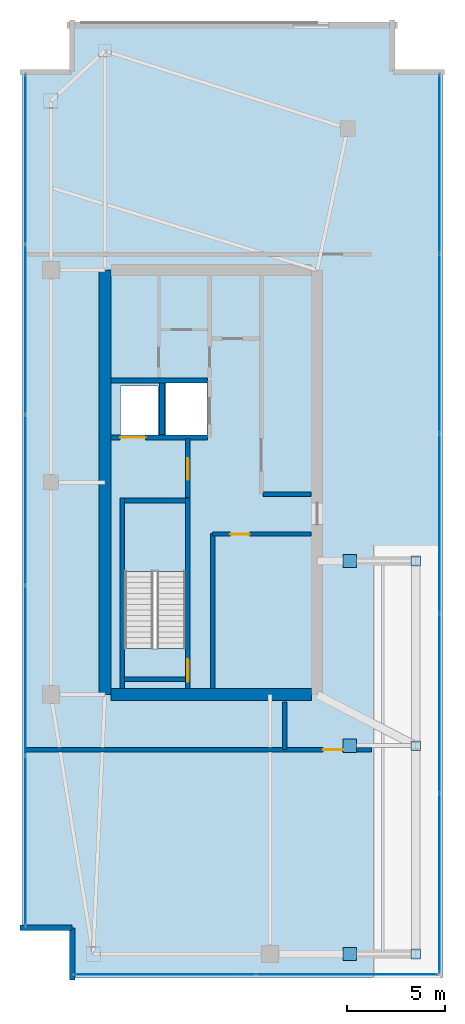
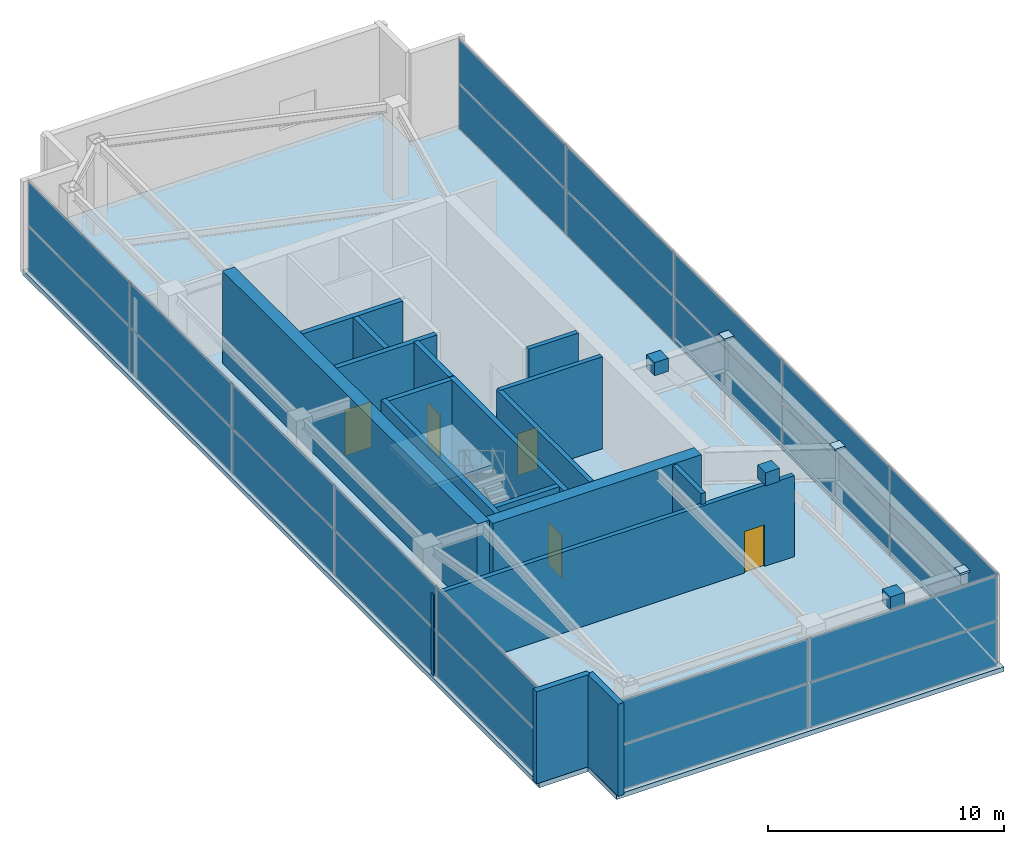
# One storey, part 17 of 20: 30 plates, 17 walls, 5 doors, 2 slabs, 5 openings, 4 elements without a shape of their own.
"""IFC4 building model written with IfcOpenShell, lengths in metres."""

from ifc_helpers import new_model, si_unit, direction, frame, frame_2d, origin, origin_2d, place, context, subcontext, project, spatial, polyline, rectangle, outline, extrude, material, layer, layer_set, type_object, element, fill, aggregate, save


model = new_model("IFC4")

# Units and contexts
model_context = context("Model", 3, precision=1e-05, world=origin(), true_north=direction((0.0, 1.0)))
body_context = subcontext(model_context, "Body", "Model", "MODEL_VIEW")
ifc_project = project(units=[si_unit("LENGTHUNIT", "METRE"), si_unit("AREAUNIT", "SQUARE_METRE"), si_unit("VOLUMEUNIT", "CUBIC_METRE"), si_unit("PLANEANGLEUNIT", "RADIAN"), si_unit("MASSUNIT", "GRAM", prefix="KILO")], contexts=[model_context])

# Site, building, storey
site_placement = place(None, origin())
site = spatial("IfcSite", under=ifc_project, at=site_placement, CompositionType="ELEMENT")
building_placement = place(site_placement, origin())
building = spatial("IfcBuilding", under=site, at=building_placement, Name="Calvorn Quay Hotel", CompositionType="ELEMENT")
storey_placement = place(building_placement, frame((0.0, 0.0, 340.5)))
storey = spatial("IfcBuildingStorey", under=building, at=storey_placement, Name="L83", CompositionType="ELEMENT", Elevation=340.5)

# Curtain wall, plates
ifc_material_1 = material(Name="Pale Anodised Aluminium and Laminated Glass", Category="aluminium")
ifc_layer_1 = layer(ifc_material_1, 0.219970703125)
ifc_layer_set_1 = layer_set([ifc_layer_1], Name="CW-SYS-CRN")
curtain_wall_type = type_object("IfcCurtainWallType", Name="CW-SYS-CRN", PredefinedType="NOTDEFINED", material=ifc_layer_set_1)
curtain_wall_1_placement = place(storey_placement, origin())
curtain_wall_1 = element("IfcCurtainWall", 1, at=curtain_wall_1_placement, inside=storey, type_object=curtain_wall_type, Name="Crown Curtain Wall L83-C1", PredefinedType="NOTDEFINED")
ifc_material_2 = material(Name="Low-E Laminated Double Glazing", Category="glass")
ifc_layer_2 = layer(ifc_material_2, 0.028076171875)
ifc_layer_set_2 = layer_set([ifc_layer_2], Name="CW-SYS-CRN-PAN")
plate_type_1 = type_object("IfcPlateType", Name="CW-SYS-CRN-PAN", PredefinedType="CURTAIN_PANEL", material=ifc_layer_set_2)
plate_1_placement = place(storey_placement, frame((7.266845703125, 2.550048828125, 0.06005859375), z_axis=(0.0, 0.0, 1.0), x_axis=(1.0, 0.0, 0.0)))
plate_1 = element("IfcPlate", 2, at=plate_1_placement, type_object=plate_type_1, Name="CW-L83-C1 panel 1.1", PredefinedType="CURTAIN_PANEL", context=body_context, shape_type="SweptSolid", body=[
    extrude(rectangle(XDim=9.173583984375, YDim=0.028076171875, at=origin_2d()), origin(), (0.0, 0.0, 1.0), 2.31005859375),
])
plate_2_placement = place(storey_placement, frame((7.266845703125, 2.550048828125, 2.429931640625), z_axis=(0.0, 0.0, 1.0), x_axis=(1.0, 0.0, 0.0)))
plate_2 = element("IfcPlate", 3, at=plate_2_placement, type_object=plate_type_1, Name="CW-L83-C1 panel 1.2", PredefinedType="CURTAIN_PANEL", context=body_context, shape_type="SweptSolid", body=[
    extrude(rectangle(XDim=9.173583984375, YDim=0.028076171875, at=origin_2d()), origin(), (0.0, 0.0, 1.0), 2.27001953125),
])
plate_3_placement = place(storey_placement, frame((16.500244140625, 2.550048828125, 0.06005859375), z_axis=(0.0, 0.0, 1.0), x_axis=(1.0, 0.0, 0.0)))
plate_3 = element("IfcPlate", 4, at=plate_3_placement, type_object=plate_type_1, Name="CW-L83-C1 panel 2.1", PredefinedType="CURTAIN_PANEL", context=body_context, shape_type="SweptSolid", body=[
    extrude(rectangle(XDim=9.173583984375, YDim=0.028076171875, at=origin_2d()), origin(), (0.0, 0.0, 1.0), 2.31005859375),
])
plate_4_placement = place(storey_placement, frame((16.500244140625, 2.550048828125, 2.429931640625), z_axis=(0.0, 0.0, 1.0), x_axis=(1.0, 0.0, 0.0)))
plate_4 = element("IfcPlate", 5, at=plate_4_placement, type_object=plate_type_1, Name="CW-L83-C1 panel 2.2", PredefinedType="CURTAIN_PANEL", context=body_context, shape_type="SweptSolid", body=[
    extrude(rectangle(XDim=9.173583984375, YDim=0.028076171875, at=origin_2d()), origin(), (0.0, 0.0, 1.0), 2.27001953125),
])
aggregate(curtain_wall_1, [plate_1, plate_2, plate_3, plate_4])

curtain_wall_2_placement = place(storey_placement, origin())
curtain_wall_2 = element("IfcCurtainWall", 6, at=curtain_wall_2_placement, inside=storey, type_object=curtain_wall_type, Name="Crown Curtain Wall L83-C2", PredefinedType="NOTDEFINED")
plate_5_placement = place(storey_placement, frame((21.217041015625, 7.2109375, 0.06005859375), z_axis=(0.0, 0.0, 1.0), x_axis=(0.0, 1.0, 0.0)))
plate_5 = element("IfcPlate", 7, at=plate_5_placement, type_object=plate_type_1, Name="CW-L83-C2 panel 1.1", PredefinedType="CURTAIN_PANEL", context=body_context, shape_type="SweptSolid", body=[
    extrude(rectangle(XDim=9.06201171875, YDim=0.028076171875, at=origin_2d()), origin(), (0.0, 0.0, 1.0), 2.31005859375),
])
plate_6_placement = place(storey_placement, frame((21.217041015625, 7.2109375, 2.429931640625), z_axis=(0.0, 0.0, 1.0), x_axis=(0.0, 1.0, 0.0)))
plate_6 = element("IfcPlate", 8, at=plate_6_placement, type_object=plate_type_1, Name="CW-L83-C2 panel 1.2", PredefinedType="CURTAIN_PANEL", context=body_context, shape_type="SweptSolid", body=[
    extrude(rectangle(XDim=9.06201171875, YDim=0.028076171875, at=origin_2d()), origin(), (0.0, 0.0, 1.0), 2.27001953125),
])
plate_7_placement = place(storey_placement, frame((21.217041015625, 16.347900390625, 0.06005859375), z_axis=(0.0, 0.0, 1.0), x_axis=(0.0, 1.0, 0.0)))
plate_7 = element("IfcPlate", 9, at=plate_7_placement, type_object=plate_type_1, Name="CW-L83-C2 panel 2.1", PredefinedType="CURTAIN_PANEL", context=body_context, shape_type="SweptSolid", body=[
    extrude(rectangle(XDim=9.092041015625, YDim=0.028076171875, at=origin_2d()), origin(), (0.0, 0.0, 1.0), 2.31005859375),
])
plate_8_placement = place(storey_placement, frame((21.217041015625, 16.347900390625, 2.429931640625), z_axis=(0.0, 0.0, 1.0), x_axis=(0.0, 1.0, 0.0)))
plate_8 = element("IfcPlate", 10, at=plate_8_placement, type_object=plate_type_1, Name="CW-L83-C2 panel 2.2", PredefinedType="CURTAIN_PANEL", context=body_context, shape_type="SweptSolid", body=[
    extrude(rectangle(XDim=9.092041015625, YDim=0.028076171875, at=origin_2d()), origin(), (0.0, 0.0, 1.0), 2.27001953125),
])
plate_9_placement = place(storey_placement, frame((21.217041015625, 25.5, 0.06005859375), z_axis=(0.0, 0.0, 1.0), x_axis=(0.0, 1.0, 0.0)))
plate_9 = element("IfcPlate", 11, at=plate_9_placement, type_object=plate_type_1, Name="CW-L83-C2 panel 3.1", PredefinedType="CURTAIN_PANEL", context=body_context, shape_type="SweptSolid", body=[
    extrude(rectangle(XDim=9.092041015625, YDim=0.028076171875, at=origin_2d()), origin(), (0.0, 0.0, 1.0), 2.31005859375),
])
plate_10_placement = place(storey_placement, frame((21.217041015625, 25.5, 2.429931640625), z_axis=(0.0, 0.0, 1.0), x_axis=(0.0, 1.0, 0.0)))
plate_10 = element("IfcPlate", 12, at=plate_10_placement, type_object=plate_type_1, Name="CW-L83-C2 panel 3.2", PredefinedType="CURTAIN_PANEL", context=body_context, shape_type="SweptSolid", body=[
    extrude(rectangle(XDim=9.092041015625, YDim=0.028076171875, at=origin_2d()), origin(), (0.0, 0.0, 1.0), 2.27001953125),
])
plate_11_placement = place(storey_placement, frame((21.217041015625, 34.652099609375, 0.06005859375), z_axis=(0.0, 0.0, 1.0), x_axis=(0.0, 1.0, 0.0)))
plate_11 = element("IfcPlate", 13, at=plate_11_placement, type_object=plate_type_1, Name="CW-L83-C2 panel 4.1", PredefinedType="CURTAIN_PANEL", context=body_context, shape_type="SweptSolid", body=[
    extrude(rectangle(XDim=9.092041015625, YDim=0.028076171875, at=origin_2d()), origin(), (0.0, 0.0, 1.0), 2.31005859375),
])
plate_12_placement = place(storey_placement, frame((21.217041015625, 34.652099609375, 2.429931640625), z_axis=(0.0, 0.0, 1.0), x_axis=(0.0, 1.0, 0.0)))
plate_12 = element("IfcPlate", 14, at=plate_12_placement, type_object=plate_type_1, Name="CW-L83-C2 panel 4.2", PredefinedType="CURTAIN_PANEL", context=body_context, shape_type="SweptSolid", body=[
    extrude(rectangle(XDim=9.092041015625, YDim=0.028076171875, at=origin_2d()), origin(), (0.0, 0.0, 1.0), 2.27001953125),
])
plate_13_placement = place(storey_placement, frame((21.217041015625, 43.7890625, 0.06005859375), z_axis=(0.0, 0.0, 1.0), x_axis=(0.0, 1.0, 0.0)))
plate_13 = element("IfcPlate", 15, at=plate_13_placement, type_object=plate_type_1, Name="CW-L83-C2 panel 5.1", PredefinedType="CURTAIN_PANEL", context=body_context, shape_type="SweptSolid", body=[
    extrude(rectangle(XDim=9.06201171875, YDim=0.028076171875, at=origin_2d()), origin(), (0.0, 0.0, 1.0), 2.31005859375),
])
plate_14_placement = place(storey_placement, frame((21.217041015625, 43.7890625, 2.429931640625), z_axis=(0.0, 0.0, 1.0), x_axis=(0.0, 1.0, 0.0)))
plate_14 = element("IfcPlate", 16, at=plate_14_placement, type_object=plate_type_1, Name="CW-L83-C2 panel 5.2", PredefinedType="CURTAIN_PANEL", context=body_context, shape_type="SweptSolid", body=[
    extrude(rectangle(XDim=9.06201171875, YDim=0.028076171875, at=origin_2d()), origin(), (0.0, 0.0, 1.0), 2.27001953125),
])
aggregate(curtain_wall_2, [plate_5, plate_6, plate_7, plate_8, plate_9, plate_10, plate_11, plate_12, plate_13, plate_14])

curtain_wall_3_placement = place(storey_placement, origin())
curtain_wall_3 = element("IfcCurtainWall", 17, at=curtain_wall_3_placement, inside=storey, type_object=curtain_wall_type, Name="Crown Curtain Wall L83-C3", PredefinedType="NOTDEFINED")
plate_15_placement = place(storey_placement, frame((0.14990234375, 44.029052734375, 0.06005859375), z_axis=(0.0, 0.0, 1.0), x_axis=(0.0, -1.0, 0.0)))
plate_15 = element("IfcPlate", 18, at=plate_15_placement, type_object=plate_type_1, Name="CW-L83-C3 panel 1.1", PredefinedType="CURTAIN_PANEL", context=body_context, shape_type="SweptSolid", body=[
    extrude(rectangle(XDim=8.58203125, YDim=0.028076171875, at=origin_2d()), origin(), (0.0, 0.0, 1.0), 2.31005859375),
])
plate_16_placement = place(storey_placement, frame((0.14990234375, 44.029052734375, 2.429931640625), z_axis=(0.0, 0.0, 1.0), x_axis=(0.0, -1.0, 0.0)))
plate_16 = element("IfcPlate", 19, at=plate_16_placement, type_object=plate_type_1, Name="CW-L83-C3 panel 1.2", PredefinedType="CURTAIN_PANEL", context=body_context, shape_type="SweptSolid", body=[
    extrude(rectangle(XDim=8.58203125, YDim=0.028076171875, at=origin_2d()), origin(), (0.0, 0.0, 1.0), 2.27001953125),
])
plate_17_placement = place(storey_placement, frame((0.14990234375, 35.3720703125, 0.06005859375), z_axis=(0.0, 0.0, 1.0), x_axis=(0.0, -1.0, 0.0)))
plate_17 = element("IfcPlate", 20, at=plate_17_placement, type_object=plate_type_1, Name="CW-L83-C3 panel 2.1", PredefinedType="CURTAIN_PANEL", context=body_context, shape_type="SweptSolid", body=[
    extrude(rectangle(XDim=8.612060546875, YDim=0.028076171875, at=origin_2d()), origin(), (0.0, 0.0, 1.0), 2.31005859375),
])
plate_18_placement = place(storey_placement, frame((0.14990234375, 35.3720703125, 2.429931640625), z_axis=(0.0, 0.0, 1.0), x_axis=(0.0, -1.0, 0.0)))
plate_18 = element("IfcPlate", 21, at=plate_18_placement, type_object=plate_type_1, Name="CW-L83-C3 panel 2.2", PredefinedType="CURTAIN_PANEL", context=body_context, shape_type="SweptSolid", body=[
    extrude(rectangle(XDim=8.612060546875, YDim=0.028076171875, at=origin_2d()), origin(), (0.0, 0.0, 1.0), 2.27001953125),
])
plate_19_placement = place(storey_placement, frame((0.14990234375, 26.699951171875, 0.06005859375), z_axis=(0.0, 0.0, 1.0), x_axis=(0.0, -1.0, 0.0)))
plate_19 = element("IfcPlate", 22, at=plate_19_placement, type_object=plate_type_1, Name="CW-L83-C3 panel 3.1", PredefinedType="CURTAIN_PANEL", context=body_context, shape_type="SweptSolid", body=[
    extrude(rectangle(XDim=8.612060546875, YDim=0.028076171875, at=origin_2d()), origin(), (0.0, 0.0, 1.0), 2.31005859375),
])
plate_20_placement = place(storey_placement, frame((0.14990234375, 26.699951171875, 2.429931640625), z_axis=(0.0, 0.0, 1.0), x_axis=(0.0, -1.0, 0.0)))
plate_20 = element("IfcPlate", 23, at=plate_20_placement, type_object=plate_type_1, Name="CW-L83-C3 panel 3.2", PredefinedType="CURTAIN_PANEL", context=body_context, shape_type="SweptSolid", body=[
    extrude(rectangle(XDim=8.612060546875, YDim=0.028076171875, at=origin_2d()), origin(), (0.0, 0.0, 1.0), 2.27001953125),
])
plate_21_placement = place(storey_placement, frame((0.14990234375, 18.028076171875, 0.06005859375), z_axis=(0.0, 0.0, 1.0), x_axis=(0.0, -1.0, 0.0)))
plate_21 = element("IfcPlate", 24, at=plate_21_placement, type_object=plate_type_1, Name="CW-L83-C3 panel 4.1", PredefinedType="CURTAIN_PANEL", context=body_context, shape_type="SweptSolid", body=[
    extrude(rectangle(XDim=8.612060546875, YDim=0.028076171875, at=origin_2d()), origin(), (0.0, 0.0, 1.0), 2.31005859375),
])
plate_22_placement = place(storey_placement, frame((0.14990234375, 18.028076171875, 2.429931640625), z_axis=(0.0, 0.0, 1.0), x_axis=(0.0, -1.0, 0.0)))
plate_22 = element("IfcPlate", 25, at=plate_22_placement, type_object=plate_type_1, Name="CW-L83-C3 panel 4.2", PredefinedType="CURTAIN_PANEL", context=body_context, shape_type="SweptSolid", body=[
    extrude(rectangle(XDim=8.612060546875, YDim=0.028076171875, at=origin_2d()), origin(), (0.0, 0.0, 1.0), 2.27001953125),
])
plate_23_placement = place(storey_placement, frame((0.14990234375, 9.37109375, 0.06005859375), z_axis=(0.0, 0.0, 1.0), x_axis=(0.0, -1.0, 0.0)))
plate_23 = element("IfcPlate", 26, at=plate_23_placement, type_object=plate_type_1, Name="CW-L83-C3 panel 5.1", PredefinedType="CURTAIN_PANEL", context=body_context, shape_type="SweptSolid", body=[
    extrude(rectangle(XDim=8.58203125, YDim=0.028076171875, at=origin_2d()), origin(), (0.0, 0.0, 1.0), 2.31005859375),
])
plate_24_placement = place(storey_placement, frame((0.14990234375, 9.37109375, 2.429931640625), z_axis=(0.0, 0.0, 1.0), x_axis=(0.0, -1.0, 0.0)))
plate_24 = element("IfcPlate", 27, at=plate_24_placement, type_object=plate_type_1, Name="CW-L83-C3 panel 5.2", PredefinedType="CURTAIN_PANEL", context=body_context, shape_type="SweptSolid", body=[
    extrude(rectangle(XDim=8.58203125, YDim=0.028076171875, at=origin_2d()), origin(), (0.0, 0.0, 1.0), 2.27001953125),
])
aggregate(curtain_wall_3, [plate_15, plate_16, plate_17, plate_18, plate_19, plate_20, plate_21, plate_22, plate_23, plate_24])

# Plates
ifc_material_3 = material(Name="Steel Q390GJC", Category="steel")
ifc_layer_3 = layer(ifc_material_3, 0.031982421875)
ifc_layer_set_3 = layer_set([ifc_layer_3], Name="PLT-SPLICE-32")
plate_type_2 = type_object("IfcPlateType", Name="PLT-SPLICE-32", PredefinedType="USERDEFINED", material=ifc_layer_set_3)
for number, where, z_axis, x_axis, name in (
    (28, (20.01708984375, 3.60009765625, 4.699951171875), (0.0, 0.0, 1.0), (1.0, 0.0, 0.0), "Column Top Cap Plate C-CR1 (L83)"),
    (29, (20.01708984375, 14.199951171875, 4.699951171875), (0.0, 0.0, 1.0), (1.0, 0.0, 0.0), "Column Top Cap Plate C-CR2 (L83)"),
    (30, (20.01708984375, 23.60009765625, 4.699951171875), (0.0, 0.0, 1.0), (1.0, 0.0, 0.0), "Column Top Cap Plate C-CR3 (L83)"),
):
    element("IfcPlate", number, at=place(storey_placement, frame(where, z_axis=z_axis, x_axis=x_axis)), inside=storey, type_object=plate_type_2, Name=name, ObjectType="SPLICE_PLATE", PredefinedType="USERDEFINED", context=body_context, shape_type="SweptSolid", body=[
        extrude(rectangle(XDim=0.489990234375, YDim=0.489990234375, at=origin_2d()), origin(), (0.0, 0.0, 1.0), 0.10009765625),
    ])
for number, where, z_axis, x_axis, name in (
    (31, (16.64990234375, 3.60009765625, 4.169921875), (0.0, 0.0, 1.0), (1.0, 0.0, 0.0), "Raking Rafter End Cap Plate L83-1"),
    (32, (16.64990234375, 14.199951171875, 4.169921875), (0.0, 0.0, 1.0), (1.0, 0.0, 0.0), "Raking Rafter End Cap Plate L83-2"),
    (33, (16.64990234375, 23.60009765625, 4.169921875), (0.0, 0.0, 1.0), (1.0, 0.0, 0.0), "Raking Rafter End Cap Plate L83-3"),
):
    element("IfcPlate", number, at=place(storey_placement, frame(where, z_axis=z_axis, x_axis=x_axis)), inside=storey, type_object=plate_type_2, Name=name, ObjectType="SPLICE_PLATE", PredefinedType="USERDEFINED", context=body_context, shape_type="SweptSolid", body=[
        extrude(rectangle(XDim=0.679931640625, YDim=0.679931640625, at=origin_2d()), origin(), (0.0, 0.0, 1.0), 0.679931640625),
    ])

# Stair, slab
ifc_material_4 = material(Name="Concrete C40", Category="concrete")
stair_type = type_object("IfcStairType", Name="STR-CORE-DOGLEG", PredefinedType="HALF_TURN_STAIR", material=ifc_material_4)
stair_placement = place(storey_placement, origin())
stair = element("IfcStair", 34, at=stair_placement, inside=storey, type_object=stair_type, Name="L83 ST-W", PredefinedType="HALF_TURN_STAIR")
ifc_material_5 = material(Name="Concrete C40", Category="concrete")
ifc_layer_4 = layer(ifc_material_5, 0.199951171875)
ifc_layer_set_4 = layer_set([ifc_layer_4], Name="SLB-STAIR-LANDING-200")
slab_type_1 = type_object("IfcSlabType", Name="SLB-STAIR-LANDING-200", PredefinedType="LANDING", material=ifc_layer_set_4)
slab_1_placement = place(storey_placement, frame((0.0, 0.0, 2.300048828125)))
slab_1 = element("IfcSlab", 35, at=slab_1_placement, type_object=slab_type_1, Name="ST-W landing 1", PredefinedType="LANDING", context=body_context, shape_type="SweptSolid", body=[
    extrude(outline(polyline([(8.300048828125, 23.070068359375), (8.300048828125, 26.550048828125), (5.199951171875, 26.550048828125), (5.199951171875, 23.070068359375), (8.300048828125, 23.070068359375)])), origin(), (0.0, 0.0, 1.0), 0.199951171875),
])
aggregate(stair, [slab_1])

# Slab
ifc_material_6 = material(Name="Concrete C40", Category="concrete")
ifc_layer_5 = layer(ifc_material_6, 0.239990234375)
ifc_layer_set_5 = layer_set([ifc_layer_5], Name="SLB-TOWER-240")
slab_type_2 = type_object("IfcSlabType", Name="SLB-TOWER-240", PredefinedType="FLOOR", material=ifc_layer_set_5)
slab_2_placement = place(storey_placement, frame((0.0, 0.0, -0.239990234375)))
element("IfcSlab", 36, at=slab_2_placement, inside=storey, type_object=slab_type_2, Name="L83 Structural Floor Slab", PredefinedType="FLOOR", context=body_context, shape_type="SweptSolid", body=[
    extrude(outline(polyline([(0.0, 4.800048828125), (2.39990234375, 4.800048828125), (2.39990234375, 2.39990234375), (21.366943359375, 2.39990234375), (21.366943359375, 48.60009765625), (18.967041015625, 48.60009765625), (18.967041015625, 51.0), (2.39990234375, 51.0), (2.39990234375, 48.60009765625), (0.0, 48.60009765625), (0.0, 4.800048828125)]), holes=[polyline([(5.199951171875, 19.156005859375), (8.300048828125, 19.156005859375), (8.300048828125, 26.550048828125), (5.199951171875, 26.550048828125), (5.199951171875, 19.156005859375)]), polyline([(5.0, 30.0), (6.89990234375, 30.0), (6.89990234375, 32.5), (5.0, 32.5), (5.0, 30.0)]), polyline([(7.300048828125, 30.0), (9.39990234375, 30.0), (9.39990234375, 32.64990234375), (7.300048828125, 32.64990234375), (7.300048828125, 30.0)])]), origin(), (0.0, 0.0, 1.0), 0.239990234375),
])

# Walls
ifc_material_7 = material(Name="Concrete C45", Category="concrete")
ifc_layer_6 = layer(ifc_material_7, 0.60009765625)
ifc_layer_set_6 = layer_set([ifc_layer_6], Name="WL-CORE-600")
wall_type_1 = type_object("IfcWallType", Name="WL-CORE-600", PredefinedType="SHEAR", material=ifc_layer_set_6)
wall_1_placement = place(storey_placement, frame((4.199951171875, 16.800048828125, 0.0), z_axis=(0.0, 0.0, 1.0), x_axis=(0.0, 1.0, 0.0)))
element("IfcWall", 37, at=wall_1_placement, inside=storey, type_object=wall_type_1, Name="West Core Shear Wall W (L83)", PredefinedType="SHEAR", context=body_context, shape_type="SweptSolid", body=[
    extrude(rectangle(XDim=21.599853515625, YDim=0.60009765625, at=frame_2d((10.7998046875, 0.0))), origin(), (0.0, 0.0, 1.0), 4.760009765625),
])
wall_2_placement = place(storey_placement, frame((4.5, 16.800048828125, 0.0), z_axis=(0.0, 0.0, 1.0), x_axis=(1.0, 0.0, 0.0)))
element("IfcWall", 38, at=wall_2_placement, inside=storey, type_object=wall_type_1, Name="West Core Shear Wall S (L83)", PredefinedType="SHEAR", context=body_context, shape_type="SweptSolid", body=[
    extrude(rectangle(XDim=10.199951171875, YDim=0.60009765625, at=frame_2d((5.10009765625, 0.0))), origin(), (0.0, 0.0, 1.0), 4.760009765625),
])
ifc_material_8 = material(Name="Concrete C40", Category="concrete")
ifc_layer_7 = layer(ifc_material_8, 0.320068359375)
ifc_layer_set_7 = layer_set([ifc_layer_7], Name="WL-EXT-SPANDREL-320")
wall_type_2 = type_object("IfcWallType", Name="WL-EXT-SPANDREL-320", PredefinedType="SOLIDWALL", material=ifc_layer_set_7)
wall_3_placement = place(storey_placement, frame((-0.1201171875, 4.949951171875, 0.0), z_axis=(0.0, 0.0, 1.0), x_axis=(1.0, 0.0, 0.0)))
element("IfcWall", 39, at=wall_3_placement, inside=storey, type_object=wall_type_2, Name="Crown Notched Corner Spandrel L83-C1", PredefinedType="SOLIDWALL", context=body_context, shape_type="SweptSolid", body=[
    extrude(rectangle(XDim=2.64013671875, YDim=0.280029296875, at=frame_2d((1.320068359375, 0.0))), origin(), (0.0, 0.0, 1.0), 4.760009765625),
])
wall_4_placement = place(storey_placement, frame((2.550048828125, 4.919921875, 0.0), z_axis=(0.0, 0.0, 1.0), x_axis=(0.0, -1.0, 0.0)))
element("IfcWall", 40, at=wall_4_placement, inside=storey, type_object=wall_type_2, Name="Crown Notched Corner Spandrel L83-C2", PredefinedType="SOLIDWALL", context=body_context, shape_type="SweptSolid", body=[
    extrude(rectangle(XDim=2.639892578125, YDim=0.280029296875, at=frame_2d((1.31982421875, 0.0))), origin(), (0.0, 0.0, 1.0), 4.760009765625),
])
ifc_material_9 = material(Name="Autoclaved Aerated Masonry Block", Category="masonry")
ifc_layer_8 = layer(ifc_material_9, 0.219970703125)
ifc_layer_set_8 = layer_set([ifc_layer_8], Name="WL-LOBBY-FIRE-220")
wall_type_3 = type_object("IfcWallType", Name="WL-LOBBY-FIRE-220", PredefinedType="SOLIDWALL", material=ifc_layer_set_8)
wall_5_placement = place(storey_placement, frame((9.679931640625, 17.1201171875, 0.0), z_axis=(0.0, 0.0, 1.0), x_axis=(0.0, 1.0, 0.0)))
element("IfcWall", 41, at=wall_5_placement, inside=storey, type_object=wall_type_3, Name="Partition Wall L83-WL-CWW-STW-HALL-E", PredefinedType="SOLIDWALL", context=body_context, shape_type="SweptSolid", body=[
    extrude(rectangle(XDim=7.8798828125, YDim=0.219970703125, at=frame_2d((3.93994140625, 0.0))), origin(), (0.0, 0.0, 1.0), 4.760009765625),
])

# Wall, opening, door
wall_6_placement = place(storey_placement, frame((9.679931640625, 24.969970703125, 0.0), z_axis=(0.0, 0.0, 1.0), x_axis=(1.0, 0.0, 0.0)))
wall_6 = element("IfcWall", 42, at=wall_6_placement, inside=storey, type_object=wall_type_3, Name="Partition Wall L83-WL-CWW-CRN-N", PredefinedType="SOLIDWALL", context=body_context, shape_type="SweptSolid", body=[
    extrude(rectangle(XDim=5.0, YDim=0.219970703125, at=frame_2d((2.5, 0.0))), origin(), (0.0, 0.0, 1.0), 4.760009765625),
])
opening_1_placement = place(wall_6_placement, frame((0.89990234375, 0.0, 0.0)))
opening_1 = element("IfcOpeningElement", 43, at=opening_1_placement, cuts=wall_6, Name="Opening D-L83-CCR", PredefinedType="OPENING", context=body_context, shape_type="SweptSolid", body=[
    extrude(rectangle(XDim=0.97998046875, YDim=2.14990234375, at=frame_2d((0.489990234375, 1.074951171875))), frame((0.0, 0.119873046875, 0.0), z_axis=(0.0, -1.0, 0.0), x_axis=(1.0, 0.0, 0.0)), (0.0, 0.0, 1.0), 0.239990234375),
])
ifc_material_10 = material(Name="Painted Steel Housekeeping/Riser Fire Door", Category="steel")
door_type_1 = type_object("IfcDoorType", Name="DR-SERVICE-980", OperationType="NOTDEFINED", PredefinedType="DOOR", material=ifc_material_10)
door_1_placement = place(opening_1_placement, origin())
door_1 = element("IfcDoor", 44, at=door_1_placement, inside=storey, type_object=door_type_1, Name="Crown Core Fan Door (L83)", OperationType="SINGLE_SWING_LEFT", OverallHeight=2.14990234375, OverallWidth=0.97998046875, PredefinedType="DOOR", context=body_context, shape_type="SweptSolid", body=[
    extrude(rectangle(XDim=0.97998046875, YDim=2.14990234375, at=frame_2d((0.489990234375, 1.074951171875))), frame((0.0, 0.02490234375, 0.0), z_axis=(0.0, -1.0, 0.0), x_axis=(1.0, 0.0, 0.0)), (0.0, 0.0, 1.0), 0.050048828125),
])
fill(opening_1, door_1)

# Walls
wall_7_placement = place(storey_placement, frame((12.25, 27.0, 0.0), z_axis=(0.0, 0.0, 1.0), x_axis=(1.0, 0.0, 0.0)))
element("IfcWall", 45, at=wall_7_placement, inside=storey, type_object=wall_type_3, Name="Partition Wall L83-WL-CWW-OV-S", PredefinedType="SOLIDWALL", context=body_context, shape_type="SweptSolid", body=[
    extrude(rectangle(XDim=2.429931640625, YDim=0.219970703125, at=frame_2d((1.21484375, 0.0))), origin(), (0.0, 0.0, 1.0), 4.760009765625),
])
wall_8_placement = place(storey_placement, frame((13.35009765625, 14.0, 0.0), z_axis=(0.0, 0.0, 1.0), x_axis=(0.0, 1.0, 0.0)))
element("IfcWall", 46, at=wall_8_placement, inside=storey, type_object=wall_type_3, Name="Partition Wall L83-WL-CR-SV-W", PredefinedType="SOLIDWALL", context=body_context, shape_type="SweptSolid", body=[
    extrude(rectangle(XDim=2.419921875, YDim=0.219970703125, at=frame_2d((1.2099609375, 0.0))), origin(), (0.0, 0.0, 1.0), 4.760009765625),
])

# Wall, opening, door
wall_9_placement = place(storey_placement, frame((0.080078125, 14.0, 0.0), z_axis=(0.0, 0.0, 1.0), x_axis=(1.0, 0.0, 0.0)))
wall_9 = element("IfcWall", 47, at=wall_9_placement, inside=storey, type_object=wall_type_3, Name="Partition Wall L83-WL-CR-S", PredefinedType="SOLIDWALL", context=body_context, shape_type="SweptSolid", body=[
    extrude(rectangle(XDim=17.669921875, YDim=0.219970703125, at=frame_2d((8.8349609375, 0.0))), origin(), (0.0, 0.0, 1.0), 4.18994140625),
])
opening_2_placement = place(wall_9_placement, frame((15.219970703125, 0.0, 0.0)))
opening_2 = element("IfcOpeningElement", 48, at=opening_2_placement, cuts=wall_9, Name="Opening D-L83-C1", PredefinedType="OPENING", context=body_context, shape_type="SweptSolid", body=[
    extrude(rectangle(XDim=0.97998046875, YDim=2.14990234375, at=frame_2d((0.489990234375, 1.074951171875))), frame((0.0, 0.119873046875, 0.0), z_axis=(0.0, -1.0, 0.0), x_axis=(1.0, 0.0, 0.0)), (0.0, 0.0, 1.0), 0.239990234375),
])
door_2_placement = place(opening_2_placement, origin())
door_2 = element("IfcDoor", 49, at=door_2_placement, inside=storey, type_object=door_type_1, Name="Crown Exhaust Plant Door", OperationType="SINGLE_SWING_LEFT", OverallHeight=2.14990234375, OverallWidth=0.97998046875, PredefinedType="DOOR", context=body_context, shape_type="SweptSolid", body=[
    extrude(rectangle(XDim=0.97998046875, YDim=2.14990234375, at=frame_2d((0.489990234375, 1.074951171875))), frame((0.0, 0.02490234375, 0.0), z_axis=(0.0, -1.0, 0.0), x_axis=(1.0, 0.0, 0.0)), (0.0, 0.0, 1.0), 0.050048828125),
])
fill(opening_2, door_2)

# Wall
ifc_material_11 = material(Name="Concrete C40", Category="concrete")
ifc_layer_9 = layer(ifc_material_11, 0.239990234375)
ifc_layer_set_9 = layer_set([ifc_layer_9], Name="WL-SHAFT-240")
wall_type_4 = type_object("IfcWallType", Name="WL-SHAFT-240", PredefinedType="SOLIDWALL", material=ifc_layer_set_9)
wall_10_placement = place(storey_placement, frame((5.080078125, 17.10009765625, 0.0), z_axis=(0.0, 0.0, 1.0), x_axis=(0.0, 1.0, 0.0)))
element("IfcWall", 50, at=wall_10_placement, inside=storey, type_object=wall_type_4, Name="Stair STW Shaft Wall W (L83)", PredefinedType="SOLIDWALL", context=body_context, shape_type="SweptSolid", body=[
    extrude(rectangle(XDim=9.68994140625, YDim=0.239990234375, at=frame_2d((4.844970703125, 0.0))), origin(), (0.0, 0.0, 1.0), 4.760009765625),
])

# Wall, opening, door
wall_11_placement = place(storey_placement, frame((8.419921875, 17.10009765625, 0.0), z_axis=(0.0, 0.0, 1.0), x_axis=(0.0, 1.0, 0.0)))
wall_11 = element("IfcWall", 51, at=wall_11_placement, inside=storey, type_object=wall_type_4, Name="Stair STW Shaft Wall E (L83)", PredefinedType="SOLIDWALL", context=body_context, shape_type="SweptSolid", body=[
    extrude(rectangle(XDim=9.68994140625, YDim=0.239990234375, at=frame_2d((4.844970703125, 0.0))), origin(), (0.0, 0.0, 1.0), 4.760009765625),
])
opening_3_placement = place(wall_11_placement, frame((0.35009765625, 0.0, 0.0)))
opening_3 = element("IfcOpeningElement", 52, at=opening_3_placement, cuts=wall_11, Name="Opening D-L83-STW", PredefinedType="OPENING", context=body_context, shape_type="SweptSolid", body=[
    extrude(rectangle(XDim=1.14990234375, YDim=2.199951171875, at=frame_2d((0.574951171875, 1.10009765625))), frame((0.0, 0.1298828125, 0.0), z_axis=(0.0, -1.0, 0.0), x_axis=(1.0, 0.0, 0.0)), (0.0, 0.0, 1.0), 0.260009765625),
])
ifc_material_12 = material(Name="Galvanised Steel Class A Fire Door", Category="steel")
door_type_2 = type_object("IfcDoorType", Name="DR-STAIR-SMOKE-1150", OperationType="NOTDEFINED", PredefinedType="DOOR", material=ifc_material_12)
door_3_placement = place(opening_3_placement, origin())
door_3 = element("IfcDoor", 53, at=door_3_placement, inside=storey, type_object=door_type_2, Name="Stair ST-W Fire Door (L83)", OperationType="SINGLE_SWING_LEFT", OverallHeight=2.199951171875, OverallWidth=1.14990234375, PredefinedType="DOOR", context=body_context, shape_type="SweptSolid", body=[
    extrude(rectangle(XDim=1.14990234375, YDim=2.199951171875, at=frame_2d((0.574951171875, 1.10009765625))), frame((0.0, 0.02490234375, 0.0), z_axis=(0.0, -1.0, 0.0), x_axis=(1.0, 0.0, 0.0)), (0.0, 0.0, 1.0), 0.050048828125),
])
fill(opening_3, door_3)

# Walls
for number, where, z_axis, x_axis, name in (
    (54, (5.199951171875, 17.580078125, 0.0), (0.0, 0.0, 1.0), (1.0, 0.0, 0.0), "Stair STW Shaft Wall S (L83)"),
    (55, (5.199951171875, 26.669921875, 0.0), (0.0, 0.0, 1.0), (1.0, 0.0, 0.0), "Stair STW Shaft Wall N (L83)"),
):
    element("IfcWall", number, at=place(storey_placement, frame(where, z_axis=z_axis, x_axis=x_axis)), inside=storey, type_object=wall_type_4, Name=name, PredefinedType="SOLIDWALL", context=body_context, shape_type="SweptSolid", body=[
        extrude(rectangle(XDim=3.10009765625, YDim=0.239990234375, at=frame_2d((1.550048828125, 0.0))), origin(), (0.0, 0.0, 1.0), 4.760009765625),
    ])

# Wall, opening, door
wall_12_placement = place(storey_placement, frame((8.419921875, 26.820068359375, 0.0), z_axis=(0.0, 0.0, 1.0), x_axis=(0.0, 1.0, 0.0)))
wall_12 = element("IfcWall", 56, at=wall_12_placement, inside=storey, type_object=wall_type_4, Name="Partition Wall L83-WL-CWW-FFL-E", PredefinedType="SOLIDWALL", context=body_context, shape_type="SweptSolid", body=[
    extrude(rectangle(XDim=3.0, YDim=0.239990234375, at=frame_2d((1.5, 0.0))), origin(), (0.0, 0.0, 1.0), 4.760009765625),
])
opening_4_placement = place(wall_12_placement, frame((0.89990234375, 0.0, 0.0)))
opening_4 = element("IfcOpeningElement", 57, at=opening_4_placement, cuts=wall_12, Name="Opening D-L83-FLW", PredefinedType="OPENING", context=body_context, shape_type="SweptSolid", body=[
    extrude(rectangle(XDim=1.10009765625, YDim=2.199951171875, at=frame_2d((0.550048828125, 1.10009765625))), frame((0.0, 0.1298828125, 0.0), z_axis=(0.0, -1.0, 0.0), x_axis=(1.0, 0.0, 0.0)), (0.0, 0.0, 1.0), 0.260009765625),
])
ifc_material_13 = material(Name="Smoke-Sealed Steel Class A Fire Door", Category="steel")
door_type_3 = type_object("IfcDoorType", Name="DR-FFLOBBY-1100", OperationType="NOTDEFINED", PredefinedType="DOOR", material=ifc_material_13)
door_4_placement = place(opening_4_placement, origin())
door_4 = element("IfcDoor", 58, at=door_4_placement, inside=storey, type_object=door_type_3, Name="West Firefighting Lobby Fire Door (L83)", OperationType="SINGLE_SWING_RIGHT", OverallHeight=2.199951171875, OverallWidth=1.10009765625, PredefinedType="DOOR", context=body_context, shape_type="SweptSolid", body=[
    extrude(rectangle(XDim=1.10009765625, YDim=2.199951171875, at=frame_2d((0.550048828125, 1.10009765625))), frame((0.0, 0.02490234375, 0.0), z_axis=(0.0, -1.0, 0.0), x_axis=(1.0, 0.0, 0.0)), (0.0, 0.0, 1.0), 0.050048828125),
])
fill(opening_4, door_4)

wall_13_placement = place(storey_placement, frame((4.52001953125, 29.8798828125, 0.0), z_axis=(0.0, 0.0, 1.0), x_axis=(1.0, 0.0, 0.0)))
wall_13 = element("IfcWall", 59, at=wall_13_placement, inside=storey, type_object=wall_type_4, Name="Partition Wall L83-WL-CWW-FLW-S", PredefinedType="SOLIDWALL", context=body_context, shape_type="SweptSolid", body=[
    extrude(rectangle(XDim=4.89990234375, YDim=0.239990234375, at=frame_2d((2.449951171875, 0.0))), origin(), (0.0, 0.0, 1.0), 4.760009765625),
])
opening_5_placement = place(wall_13_placement, frame((0.449951171875, 0.0, 0.0)))
opening_5 = element("IfcOpeningElement", 60, at=opening_5_placement, cuts=wall_13, Name="Opening LD-L83-FLW1", PredefinedType="OPENING", context=body_context, shape_type="SweptSolid", body=[
    extrude(rectangle(XDim=1.300048828125, YDim=2.35009765625, at=frame_2d((0.64990234375, 1.175048828125))), frame((0.0, 0.1298828125, 0.0), z_axis=(0.0, -1.0, 0.0), x_axis=(1.0, 0.0, 0.0)), (0.0, 0.0, 1.0), 0.260009765625),
])
ifc_material_14 = material(Name="Champagne-Bronze Sliding Express Lift Landing Door")
door_type_4 = type_object("IfcDoorType", Name="DR-LIFT-SHUTTLE-1300", OperationType="NOTDEFINED", PredefinedType="DOOR", material=ifc_material_14)
door_5_placement = place(opening_5_placement, origin())
door_5 = element("IfcDoor", 61, at=door_5_placement, inside=storey, type_object=door_type_4, Name="Firefighting Lift FL-W1 Landing Door (L83)", OperationType="DOUBLE_DOOR_SLIDING", OverallHeight=2.35009765625, OverallWidth=1.300048828125, PredefinedType="DOOR", context=body_context, shape_type="SweptSolid", body=[
    extrude(rectangle(XDim=1.300048828125, YDim=2.35009765625, at=frame_2d((0.64990234375, 1.175048828125))), frame((0.0, 0.02490234375, 0.0), z_axis=(0.0, -1.0, 0.0), x_axis=(1.0, 0.0, 0.0)), (0.0, 0.0, 1.0), 0.050048828125),
])
fill(opening_5, door_5)

# Walls
wall_14_placement = place(storey_placement, frame((7.10009765625, 30.02001953125, 0.0), z_axis=(0.0, 0.0, 1.0), x_axis=(0.0, 1.0, 0.0)))
element("IfcWall", 62, at=wall_14_placement, inside=storey, type_object=wall_type_4, Name="Partition Wall L83-WL-CWW-FLW-DIV", PredefinedType="SOLIDWALL", context=body_context, shape_type="SweptSolid", body=[
    extrude(rectangle(XDim=2.6298828125, YDim=0.239990234375, at=frame_2d((1.31494140625, 0.0))), origin(), (0.0, 0.0, 1.0), 4.760009765625),
])
wall_15_placement = place(storey_placement, frame((4.52001953125, 32.780029296875, 0.0), z_axis=(0.0, 0.0, 1.0), x_axis=(1.0, 0.0, 0.0)))
element("IfcWall", 63, at=wall_15_placement, inside=storey, type_object=wall_type_4, Name="Partition Wall L83-WL-CWW-SLW-N", PredefinedType="SOLIDWALL", context=body_context, shape_type="SweptSolid", body=[
    extrude(rectangle(XDim=4.89990234375, YDim=0.239990234375, at=frame_2d((2.449951171875, 0.0))), origin(), (0.0, 0.0, 1.0), 4.760009765625),
])

save(model, "model.ifc")
